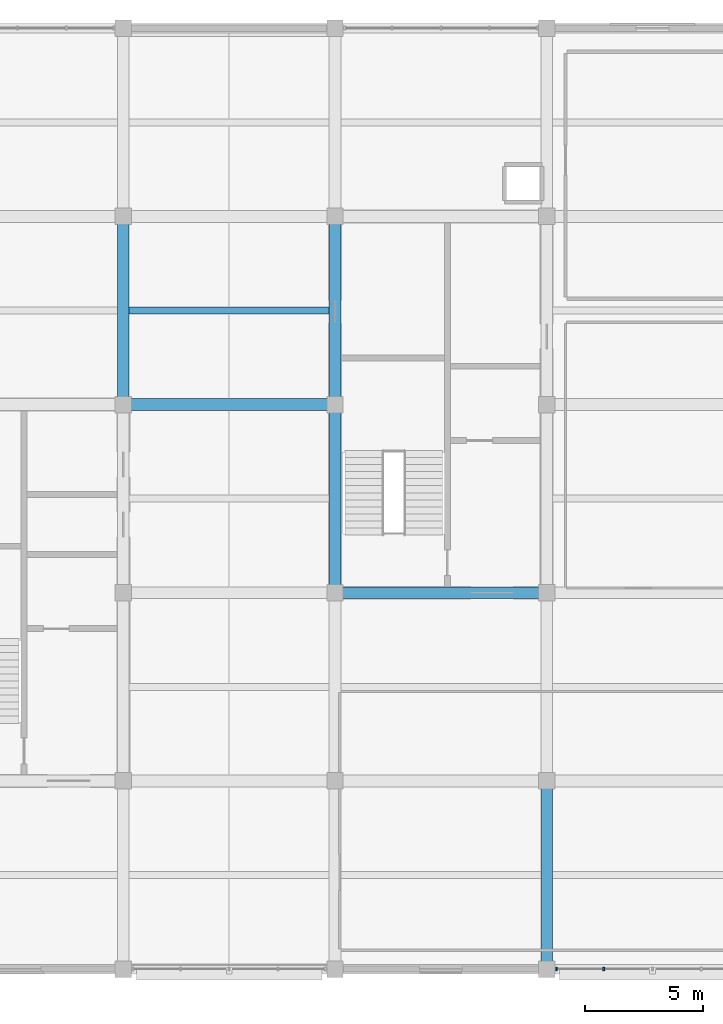
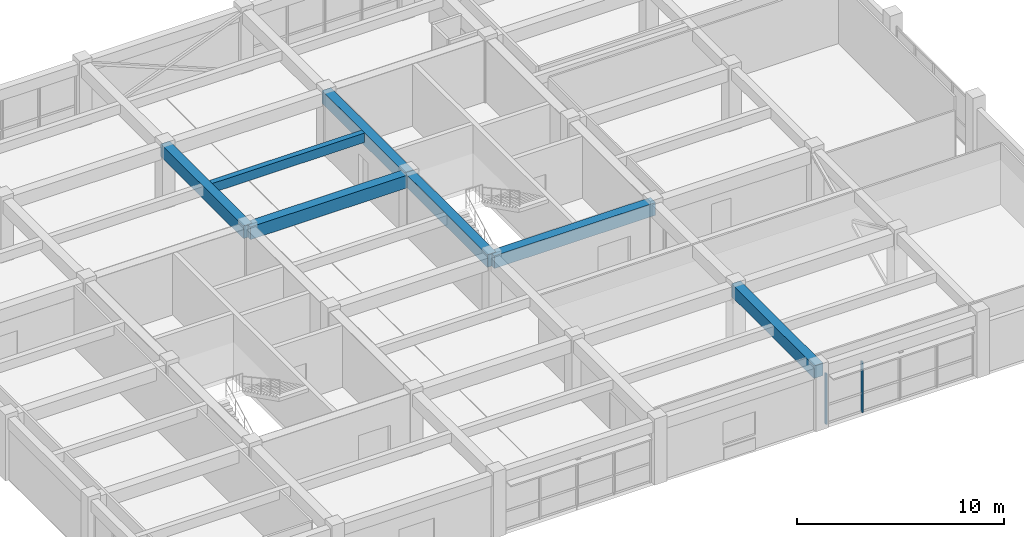
# One storey, part 5 of 13: 7 beams, 2 members, 1 element without a shape of its own.
"""IFC4 building model written with IfcOpenShell, lengths in metres."""

from ifc_helpers import new_model, si_unit, direction, frame, origin, origin_2d, place, context, subcontext, project, spatial, rectangle, extrude, material, material_profile, profile_set, type_object, element, aggregate, save


model = new_model("IFC4")

# Units and contexts
model_context = context("Model", 3, precision=1e-05, world=origin(), true_north=direction((0.0, 1.0)))
body_context = subcontext(model_context, "Body", "Model", "MODEL_VIEW")
ifc_project = project(units=[si_unit("LENGTHUNIT", "METRE"), si_unit("AREAUNIT", "SQUARE_METRE"), si_unit("VOLUMEUNIT", "CUBIC_METRE"), si_unit("PLANEANGLEUNIT", "RADIAN"), si_unit("MASSUNIT", "GRAM", prefix="KILO")], contexts=[model_context])

# Site, building, storey
site_placement = place(None, origin())
site = spatial("IfcSite", under=ifc_project, at=site_placement, CompositionType="ELEMENT")
building_placement = place(site_placement, origin())
building = spatial("IfcBuilding", under=site, at=building_placement, Name="Zaverband Oceanarium and Marine Research Institute", CompositionType="ELEMENT")
storey_placement = place(building_placement, frame((0.0, 0.0, 64.800048828125)))
storey = spatial("IfcBuildingStorey", under=building, at=storey_placement, Name="L16", CompositionType="ELEMENT", Elevation=64.800048828125)

# Beams
ifc_material_1 = material(Name="Concrete C40/50", Category="concrete")
ifc_material_profile_1 = material_profile(ifc_material_1, rectangle(XDim=0.5, YDim=0.75, at=origin_2d()), Name="RC500x750")
ifc_profile_set_1 = profile_set([ifc_material_profile_1], Name="Concrete C40/50")
beam_type_1 = type_object("IfcBeamType", Name="BM-500x750", PredefinedType="BEAM", material=ifc_profile_set_1)
for number, where, z_axis, x_axis, name in (
    (1, (36.0, 88.0, 3.27490234375), (1.0, 0.0, 0.0), (0.0, 1.0, 0.0), "Primary floor girder BM-500x750"),
    (2, (27.0, 96.0, 3.27490234375), (1.0, 0.0, 0.0), (0.0, 1.0, 0.0), "Primary floor girder BM-500x750"),
):
    element("IfcBeam", number, at=place(storey_placement, frame(where, z_axis=z_axis, x_axis=x_axis)), inside=storey, type_object=beam_type_1, Name=name, PredefinedType="BEAM", context=body_context, shape_type="SweptSolid", body=[
        extrude(rectangle(XDim=0.5, YDim=0.75, at=origin_2d()), origin(), (0.0, 0.0, 1.0), 9.0),
    ])
for number, where, z_axis, x_axis, name in (
    (3, (27.0, 96.0, 3.27490234375), (0.0, 1.0, 0.0), (-1.0, 0.0, 0.0), "Primary floor girder BM-500x750"),
    (4, (36.0, 88.0, 3.27490234375), (0.0, 1.0, 0.0), (-1.0, 0.0, 0.0), "Primary floor girder BM-500x750"),
    (5, (36.0, 96.0, 3.27490234375), (0.0, 1.0, 0.0), (-1.0, 0.0, 0.0), "Primary floor girder BM-500x750"),
    (6, (45.0, 72.0, 3.27490234375), (0.0, 1.0, 0.0), (-1.0, 0.0, 0.0), "Primary floor girder BM-500x750"),
):
    element("IfcBeam", number, at=place(storey_placement, frame(where, z_axis=z_axis, x_axis=x_axis)), inside=storey, type_object=beam_type_1, Name=name, PredefinedType="BEAM", context=body_context, shape_type="SweptSolid", body=[
        extrude(rectangle(XDim=0.5, YDim=0.75, at=origin_2d()), origin(), (0.0, 0.0, 1.0), 8.0),
    ])
ifc_material_profile_2 = material_profile(ifc_material_1, rectangle(XDim=0.300048828125, YDim=0.550048828125, at=origin_2d()), Name="RC300x550")
ifc_profile_set_2 = profile_set([ifc_material_profile_2], Name="Concrete C40/50")
beam_type_2 = type_object("IfcBeamType", Name="JST-300x550", PredefinedType="JOIST", material=ifc_profile_set_2)
beam_placement = place(storey_placement, frame((27.25, 100.0, 3.375), z_axis=(1.0, 0.0, 0.0), x_axis=(0.0, 1.0, 0.0)))
element("IfcBeam", 7, at=beam_placement, inside=storey, type_object=beam_type_2, Name="Secondary floor joist JST-300x550", PredefinedType="JOIST", context=body_context, shape_type="SweptSolid", body=[
    extrude(rectangle(XDim=0.300048828125, YDim=0.550048828125, at=origin_2d()), origin(), (0.0, 0.0, 1.0), 8.5),
])

# Curtain wall, members
ifc_material_2 = material(Name="Thermally broken anodized aluminium and solar-control glass", Category="aluminium")
curtain_wall_type = type_object("IfcCurtainWallType", Name="CW-UNIT-1800", PredefinedType="NOTDEFINED", material=ifc_material_2)
curtain_wall_placement = place(storey_placement, origin())
curtain_wall = element("IfcCurtainWall", 8, at=curtain_wall_placement, inside=storey, type_object=curtain_wall_type, Name="Unitised glazed curtain wall CW-167", PredefinedType="NOTDEFINED")
ifc_material_3 = material(Name="Thermally broken anodized aluminium", Category="aluminium")
ifc_material_profile_3 = material_profile(ifc_material_3, rectangle(XDim=0.070068359375, YDim=0.14990234375, at=origin_2d()), Name="AL-MUL-70x150")
ifc_profile_set_3 = profile_set([ifc_material_profile_3], Name="Thermally broken anodized aluminium")
member_type = type_object("IfcMemberType", Name="MUL-70x150", PredefinedType="MULLION", material=ifc_profile_set_3)
member_1_placement = place(storey_placement, frame((45.4150390625, 72.0, 0.0), z_axis=(0.0, 0.0, 1.0), x_axis=(1.0, 0.0, 0.0)))
member_1 = element("IfcMember", 9, at=member_1_placement, type_object=member_type, Name="Curtain wall vertical mullion MUL-70x150", PredefinedType="MULLION", context=body_context, shape_type="SweptSolid", body=[
    extrude(rectangle(XDim=0.070068359375, YDim=0.14990234375, at=origin_2d()), origin(), (0.0, 0.0, 1.0), 2.97998046875),
])
member_2_placement = place(storey_placement, frame((47.427490234375, 72.0, 0.0), z_axis=(0.0, 0.0, 1.0), x_axis=(1.0, 0.0, 0.0)))
member_2 = element("IfcMember", 10, at=member_2_placement, type_object=member_type, Name="Curtain wall vertical mullion MUL-70x150", PredefinedType="MULLION", context=body_context, shape_type="SweptSolid", body=[
    extrude(rectangle(XDim=0.070068359375, YDim=0.14990234375, at=origin_2d()), origin(), (0.0, 0.0, 1.0), 2.97998046875),
])
aggregate(curtain_wall, [member_1, member_2])

save(model, "model.ifc")
